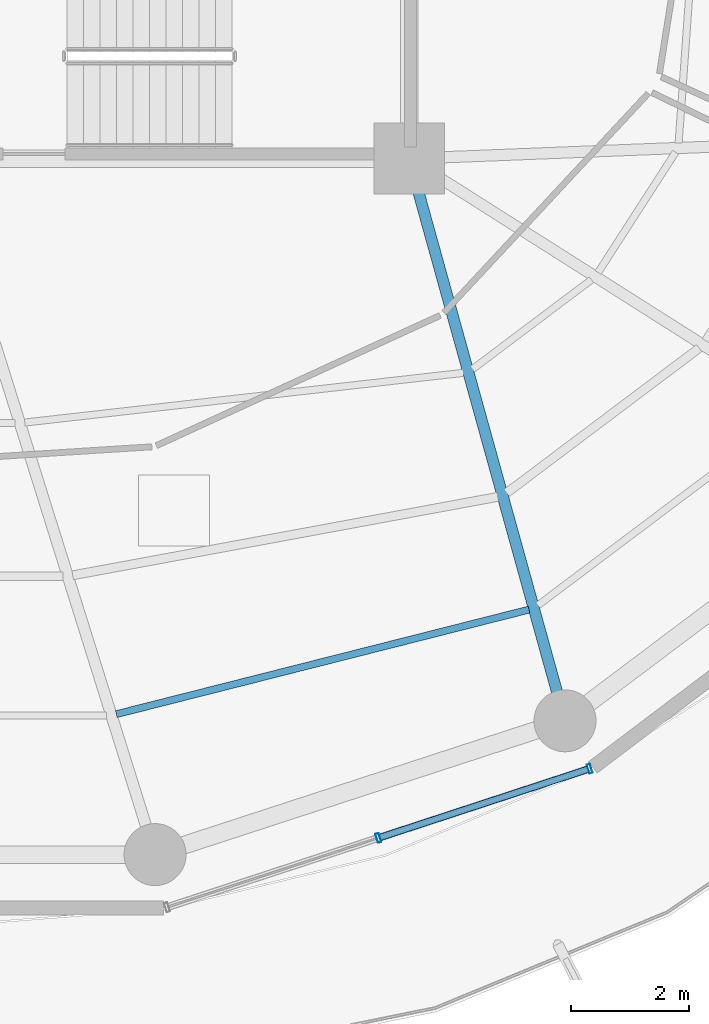
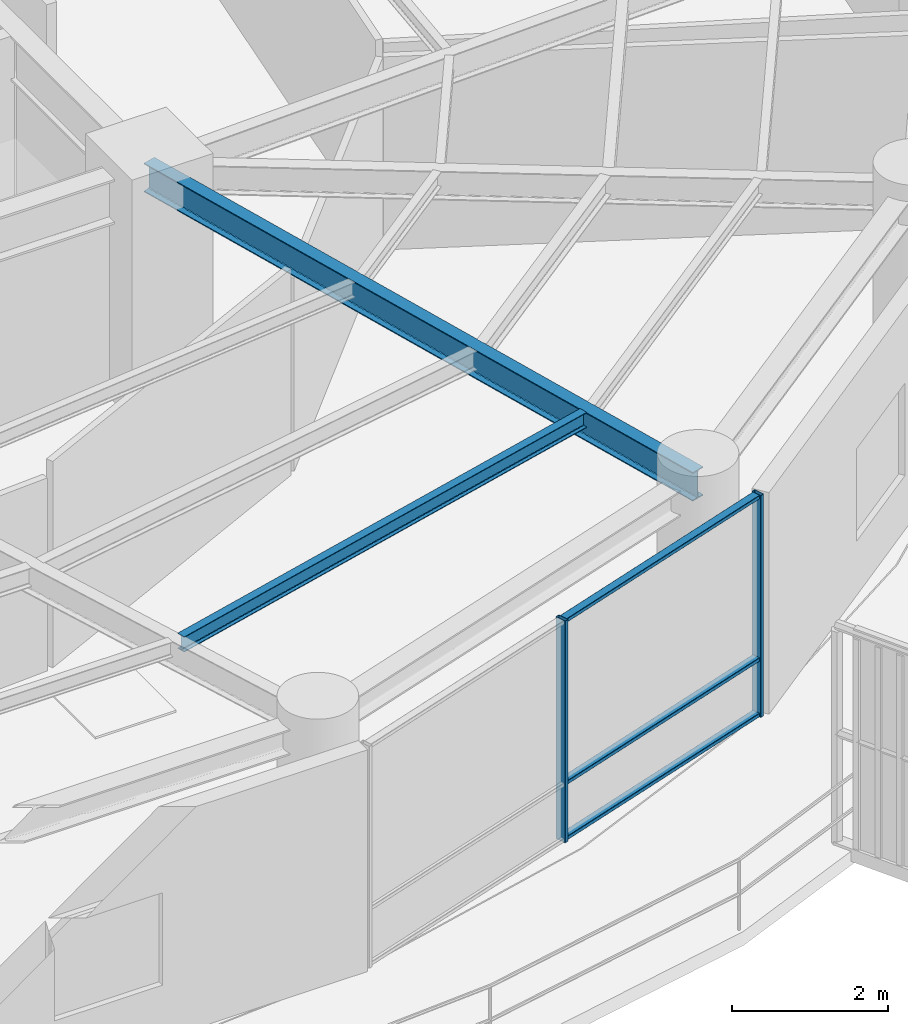
# One storey, part 10 of 30: 5 members, 2 beams, 1 element without a shape of its own.
"""IFC4 building model written with IfcOpenShell, lengths in metres."""

from ifc_helpers import new_model, si_unit, direction, frame, origin, origin_2d, place, context, subcontext, project, spatial, hollow_rectangle, i_section, extrude, material, layer, layer_set, material_profile, profile_set, type_object, element, aggregate, save


model = new_model("IFC4")

# Units and contexts
model_context = context("Model", 3, precision=1e-05, world=origin(), true_north=direction((0.0, 1.0)))
body_context = subcontext(model_context, "Body", "Model", "MODEL_VIEW")
ifc_project = project(units=[si_unit("LENGTHUNIT", "METRE"), si_unit("AREAUNIT", "SQUARE_METRE"), si_unit("VOLUMEUNIT", "CUBIC_METRE"), si_unit("PLANEANGLEUNIT", "RADIAN"), si_unit("MASSUNIT", "GRAM", prefix="KILO")], contexts=[model_context])

# Site, building, storey
site_placement = place(None, origin())
site = spatial("IfcSite", under=ifc_project, at=site_placement, CompositionType="ELEMENT")
building_placement = place(site_placement, origin())
building = spatial("IfcBuilding", under=site, at=building_placement, Name="Kelanora Arch Commons", CompositionType="ELEMENT")
storey_placement = place(building_placement, frame((0.0, 0.0, 208.199951171875)))
storey = spatial("IfcBuildingStorey", under=building, at=storey_placement, Name="L53", CompositionType="ELEMENT", Elevation=208.199951171875)

# Beams
ifc_material_1 = material(Name="Steel S355", Category="steel")
ifc_material_profile_1 = material_profile(ifc_material_1, i_section(OverallWidth=0.1201171875, OverallDepth=0.239990234375, WebThickness=0.006103515625, FlangeThickness=0.009765625, FilletRadius=0.014892578125, at=origin_2d()), Name="IPE240")
ifc_profile_set_1 = profile_set([ifc_material_profile_1], Name="Steel S355")
beam_type_1 = type_object("IfcBeamType", Name="BM-JST-02", PredefinedType="JOIST", material=ifc_profile_set_1)
beam_1_placement = place(storey_placement, frame((77.03857421875, 41.5888671875, 3.3701171875), z_axis=(0.969370989998, 0.245601066263, 0.0), x_axis=(-0.245601066263, 0.969370989998, 0.0)))
element("IfcBeam", 1, at=beam_1_placement, inside=storey, type_object=beam_type_1, Name="Secondary Chord Joist BJC-28 L53", PredefinedType="JOIST", context=body_context, shape_type="SweptSolid", body=[
    extrude(i_section(OverallWidth=0.1201171875, OverallDepth=0.239990234375, WebThickness=0.006103515625, FlangeThickness=0.009765625, FilletRadius=0.014892578125, at=origin_2d()), origin(), (0.0, 0.0, 1.0), 7.2119140625),
])
ifc_material_profile_2 = material_profile(ifc_material_1, i_section(OverallWidth=0.18994140625, OverallDepth=0.449951171875, WebThickness=0.009521484375, FlangeThickness=0.0146484375, FilletRadius=0.02099609375, at=origin_2d()), Name="IPE450")
ifc_profile_set_2 = profile_set([ifc_material_profile_2], Name="Steel S355")
beam_type_2 = type_object("IfcBeamType", Name="BM-RAD-Z4", PredefinedType="BEAM", material=ifc_profile_set_2)
beam_2_placement = place(storey_placement, frame((82.0, 51.0, 3.26513671875), z_axis=(0.267120164296, -0.963663228429, 0.0), x_axis=(0.963663228429, 0.267120164296, 0.0)))
element("IfcBeam", 2, at=beam_2_placement, inside=storey, type_object=beam_type_2, Name="Radial Floor Girder BR-30 L53", PredefinedType="BEAM", context=body_context, shape_type="SweptSolid", body=[
    extrude(i_section(OverallWidth=0.18994140625, OverallDepth=0.449951171875, WebThickness=0.009521484375, FlangeThickness=0.0146484375, FilletRadius=0.02099609375, at=origin_2d()), origin(), (0.0, 0.0, 1.0), 9.8828125),
])

# Curtain wall, members
ifc_material_2 = material(Name="Terracotta ceramic-fritted low-E glass and aluminium", Category="masonry")
ifc_layer = layer(ifc_material_2, 0.175048828125)
ifc_layer_set = layer_set([ifc_layer], Name="Terracotta ceramic-fritted low-E glass and aluminium")
curtain_wall_type = type_object("IfcCurtainWallType", Name="CW-SYS-02", PredefinedType="NOTDEFINED", material=ifc_layer_set)
curtain_wall_placement = place(storey_placement, origin())
curtain_wall = element("IfcCurtainWall", 3, at=curtain_wall_placement, inside=storey, type_object=curtain_wall_type, Name="Unitised Curtain Wall L53-B14", PredefinedType="NOTDEFINED")
ifc_material_3 = material(Name="Powder-coated aluminium terracotta", Category="masonry")
ifc_material_profile_3 = material_profile(ifc_material_3, hollow_rectangle(XDim=0.159912109375, YDim=0.06005859375, WallThickness=0.0048828125, InnerFilletRadius=0.0048828125, OuterFilletRadius=0.010009765625, at=origin_2d()), Name="CWM160x60")
ifc_profile_set_3 = profile_set([ifc_material_profile_3], Name="Powder-coated aluminium terracotta")
member_type_1 = type_object("IfcMemberType", Name="CWM-STD", PredefinedType="MULLION", material=ifc_profile_set_3)
member_1_placement = place(storey_placement, frame((81.4775390625, 39.49169921875, 0.0), z_axis=(0.0, 0.0, 1.0), x_axis=(-0.311582439059, 0.950219124029, 0.0)))
member_1 = element("IfcMember", 4, at=member_1_placement, type_object=member_type_1, Name="CW-02 mullion 2", PredefinedType="MULLION", context=body_context, shape_type="SweptSolid", body=[
    extrude(hollow_rectangle(XDim=0.159912109375, YDim=0.06005859375, WallThickness=0.0048828125, InnerFilletRadius=0.0048828125, OuterFilletRadius=0.010009765625, at=origin_2d()), origin(), (0.0, 0.0, 1.0), 3.47509765625),
])
member_2_placement = place(storey_placement, frame((85.05712890625, 40.66552734375, 0.0), z_axis=(0.0, 0.0, 1.0), x_axis=(-0.311582439059, 0.950219124029, 0.0)))
member_2 = element("IfcMember", 5, at=member_2_placement, type_object=member_type_1, Name="CW-02 mullion 3", PredefinedType="MULLION", context=body_context, shape_type="SweptSolid", body=[
    extrude(hollow_rectangle(XDim=0.159912109375, YDim=0.06005859375, WallThickness=0.0048828125, InnerFilletRadius=0.0048828125, OuterFilletRadius=0.010009765625, at=origin_2d()), origin(), (0.0, 0.0, 1.0), 3.47509765625),
])
ifc_material_profile_4 = material_profile(ifc_material_3, hollow_rectangle(XDim=0.1201171875, YDim=0.06005859375, WallThickness=0.0048828125, InnerFilletRadius=0.0048828125, OuterFilletRadius=0.010009765625, at=origin_2d()), Name="CWT120x60")
ifc_profile_set_4 = profile_set([ifc_material_profile_4], Name="Powder-coated aluminium terracotta")
member_type_2 = type_object("IfcMemberType", Name="CWT-STD", PredefinedType="USERDEFINED", material=ifc_profile_set_4)
member_3_placement = place(storey_placement, frame((81.506103515625, 39.5009765625, 0.030029296875), z_axis=(0.950226025222, 0.311561392011, 0.0), x_axis=(-0.311561392011, 0.950226025222, 0.0)))
member_3 = element("IfcMember", 6, at=member_3_placement, type_object=member_type_2, Name="CW-02 transom 2.1", ObjectType="TRANSOM", PredefinedType="USERDEFINED", context=body_context, shape_type="SweptSolid", body=[
    extrude(hollow_rectangle(XDim=0.1201171875, YDim=0.06005859375, WallThickness=0.0048828125, InnerFilletRadius=0.0048828125, OuterFilletRadius=0.010009765625, at=origin_2d()), origin(), (0.0, 0.0, 1.0), 3.707275390625),
])
member_4_placement = place(storey_placement, frame((81.506103515625, 39.5009765625, 0.900146484375), z_axis=(0.950226025222, 0.311561392011, 0.0), x_axis=(-0.311561392011, 0.950226025222, 0.0)))
member_4 = element("IfcMember", 7, at=member_4_placement, type_object=member_type_2, Name="CW-02 transom 2.2", ObjectType="TRANSOM", PredefinedType="USERDEFINED", context=body_context, shape_type="SweptSolid", body=[
    extrude(hollow_rectangle(XDim=0.1201171875, YDim=0.06005859375, WallThickness=0.0048828125, InnerFilletRadius=0.0048828125, OuterFilletRadius=0.010009765625, at=origin_2d()), origin(), (0.0, 0.0, 1.0), 3.707275390625),
])
member_5_placement = place(storey_placement, frame((81.506103515625, 39.5009765625, 3.445068359375), z_axis=(0.950226025222, 0.311561392011, 0.0), x_axis=(-0.311561392011, 0.950226025222, 0.0)))
member_5 = element("IfcMember", 8, at=member_5_placement, type_object=member_type_2, Name="CW-02 transom 2.3", ObjectType="TRANSOM", PredefinedType="USERDEFINED", context=body_context, shape_type="SweptSolid", body=[
    extrude(hollow_rectangle(XDim=0.1201171875, YDim=0.06005859375, WallThickness=0.0048828125, InnerFilletRadius=0.0048828125, OuterFilletRadius=0.010009765625, at=origin_2d()), origin(), (0.0, 0.0, 1.0), 3.707275390625),
])
aggregate(curtain_wall, [member_1, member_2, member_3, member_4, member_5])

save(model, "model.ifc")
